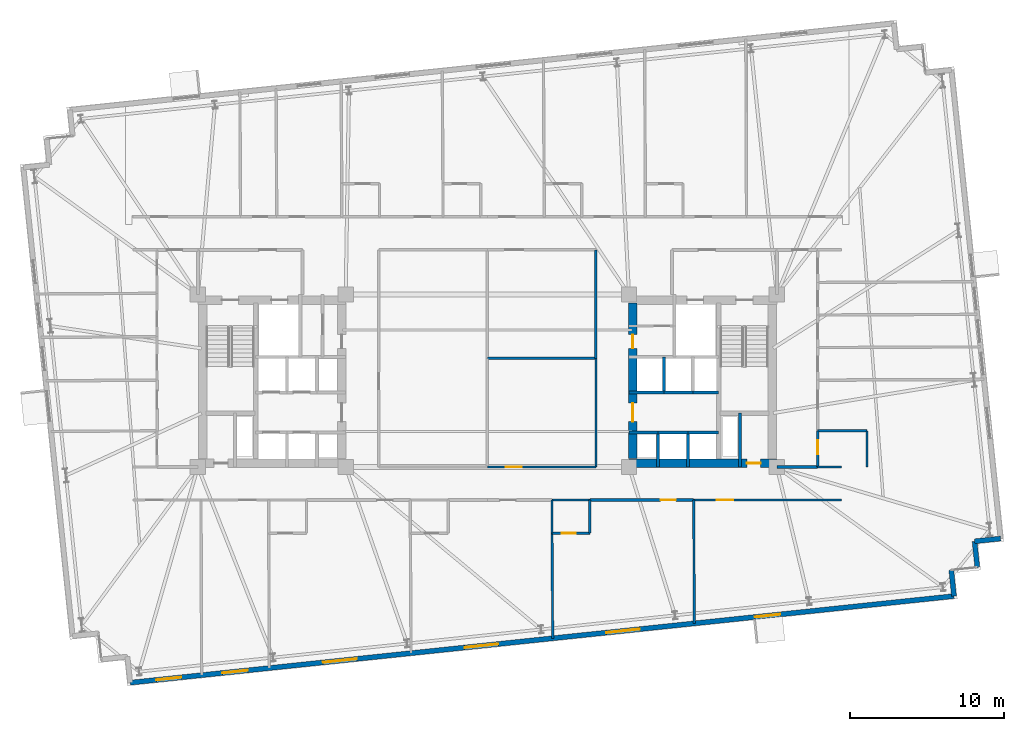
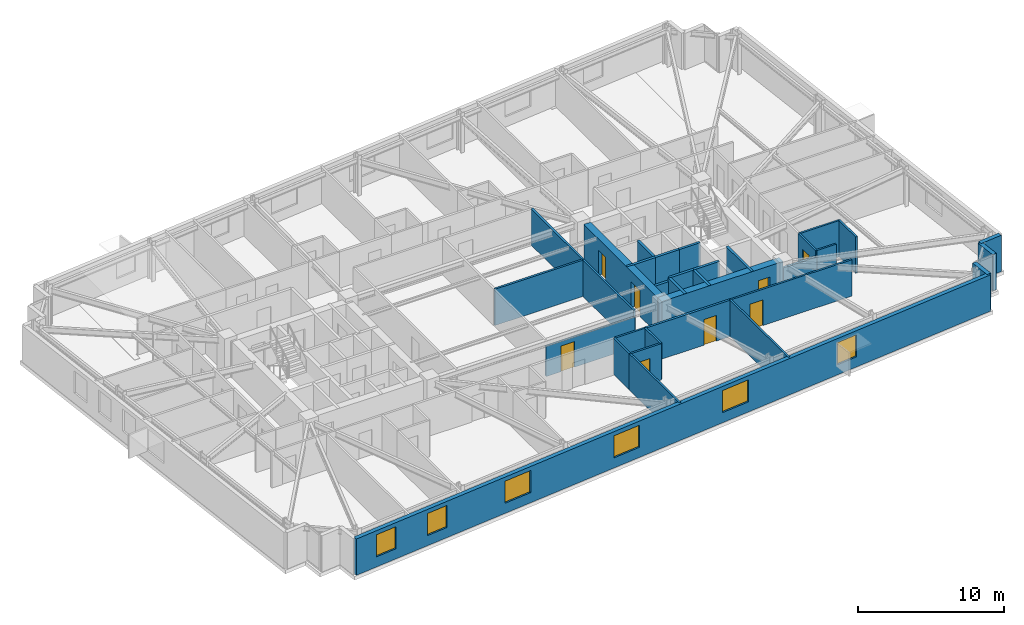
# One storey, part 14 of 20: 33 walls, 8 doors, 6 windows, 14 openings.
"""IFC4 building model written with IfcOpenShell, lengths in metres."""

from ifc_helpers import new_model, si_unit, direction, frame, frame_2d, origin, place, context, subcontext, project, spatial, rectangle, extrude, material, layer, layer_set, type_object, element, fill, save


model = new_model("IFC4")

# Units and contexts
model_context = context("Model", 3, precision=1e-05, world=origin(), true_north=direction((0.0, 1.0)))
body_context = subcontext(model_context, "Body", "Model", "MODEL_VIEW")
ifc_project = project(units=[si_unit("LENGTHUNIT", "METRE"), si_unit("AREAUNIT", "SQUARE_METRE"), si_unit("VOLUMEUNIT", "CUBIC_METRE"), si_unit("PLANEANGLEUNIT", "RADIAN"), si_unit("MASSUNIT", "GRAM", prefix="KILO")], contexts=[model_context])

# Site, building, storey
site_placement = place(None, origin())
site = spatial("IfcSite", under=ifc_project, at=site_placement, CompositionType="ELEMENT")
building_placement = place(site_placement, origin())
building = spatial("IfcBuilding", under=site, at=building_placement, Name="Qobustan Lattice House", CompositionType="ELEMENT")
storey_placement = place(building_placement, frame((0.0, 0.0, 89.050048828125)))
storey = spatial("IfcBuildingStorey", under=building, at=storey_placement, Name="L24", CompositionType="ELEMENT", Elevation=89.050048828125)

# Wall, opening, door
ifc_material_1 = material(Name="Concrete C60/75", Category="concrete")
ifc_layer_1 = layer(ifc_material_1, 0.56005859375)
ifc_layer_set_1 = layer_set([ifc_layer_1], Name="Concrete C60/75")
wall_type_1 = type_object("IfcWallType", Name="WAL-CORE-600", PredefinedType="SHEAR", material=ifc_layer_set_1)
wall_1_placement = place(storey_placement, frame((9.199951171875, -5.35009765625, 0.0), z_axis=(0.0, 0.0, 1.0), x_axis=(1.0, 0.0, 0.0)))
wall_1 = element("IfcWall", 1, at=wall_1_placement, inside=storey, type_object=wall_type_1, Name="L24 split-core shear wall CE-S", PredefinedType="SHEAR", context=body_context, shape_type="SweptSolid", body=[
    extrude(rectangle(XDim=9.60009765625, YDim=0.56005859375, at=frame_2d((4.800048828125, 0.0))), origin(), (0.0, 0.0, 1.0), 3.044921875),
])
opening_1_placement = place(wall_1_placement, frame((7.64990234375, 0.0, 0.0)))
opening_1 = element("IfcOpeningElement", 2, at=opening_1_placement, cuts=wall_1, Name="Opening RD-01", PredefinedType="OPENING", context=body_context, shape_type="SweptSolid", body=[
    extrude(rectangle(XDim=0.89990234375, YDim=2.10009765625, at=frame_2d((0.449951171875, 1.050048828125))), frame((0.0, 0.2900390625, 0.0), z_axis=(0.0, -1.0, 0.0), x_axis=(1.0, 0.0, 0.0)), (0.0, 0.0, 1.0), 0.580078125),
])
ifc_material_2 = material(Name="Persian walnut timber and steel frame door", Category="steel")
door_type_1 = type_object("IfcDoorType", Name="DOR-RISER-FD-900x2100", OperationType="NOTDEFINED", PredefinedType="DOOR", material=ifc_material_2)
door_1_placement = place(opening_1_placement, origin())
door_1 = element("IfcDoor", 3, at=door_1_placement, inside=storey, type_object=door_type_1, Name="L24 core service riser access door E", OperationType="SINGLE_SWING_RIGHT", OverallHeight=2.10009765625, OverallWidth=0.89990234375, PredefinedType="DOOR", context=body_context, shape_type="SweptSolid", body=[
    extrude(rectangle(XDim=0.89990234375, YDim=2.10009765625, at=frame_2d((0.449951171875, 1.050048828125))), frame((0.0, 0.02490234375, 0.0), z_axis=(0.0, -1.0, 0.0), x_axis=(1.0, 0.0, 0.0)), (0.0, 0.0, 1.0), 0.050048828125),
])
fill(opening_1, door_1)

# Wall, openings, doors
wall_2_placement = place(storey_placement, frame((9.449951171875, -5.050048828125, 0.0), z_axis=(0.0, 0.0, 1.0), x_axis=(0.0, 1.0, 0.0)))
wall_2 = element("IfcWall", 4, at=wall_2_placement, inside=storey, type_object=wall_type_1, Name="L24 split-core shear wall CE-W", PredefinedType="SHEAR", context=body_context, shape_type="SweptSolid", body=[
    extrude(rectangle(XDim=10.10009765625, YDim=0.56005859375, at=frame_2d((5.050048828125, 0.0))), origin(), (0.0, 0.0, 1.0), 3.044921875),
])
opening_2_placement = place(wall_2_placement, frame((7.14990234375, 0.0, 0.0)))
opening_2 = element("IfcOpeningElement", 5, at=opening_2_placement, cuts=wall_2, Name="Opening RD-01", PredefinedType="OPENING", context=body_context, shape_type="SweptSolid", body=[
    extrude(rectangle(XDim=0.89990234375, YDim=2.10009765625, at=frame_2d((0.449951171875, 1.050048828125))), frame((0.0, 0.2900390625, 0.0), z_axis=(0.0, -1.0, 0.0), x_axis=(1.0, 0.0, 0.0)), (0.0, 0.0, 1.0), 0.580078125),
])
opening_3_placement = place(wall_2_placement, frame((2.39990234375, 0.0, 0.0)))
opening_3 = element("IfcOpeningElement", 6, at=opening_3_placement, cuts=wall_2, Name="Opening FD-01", PredefinedType="OPENING", context=body_context, shape_type="SweptSolid", body=[
    extrude(rectangle(XDim=1.199951171875, YDim=2.14990234375, at=frame_2d((0.60009765625, 1.074951171875))), frame((0.0, 0.2900390625, 0.0), z_axis=(0.0, -1.0, 0.0), x_axis=(1.0, 0.0, 0.0)), (0.0, 0.0, 1.0), 0.580078125),
])
ifc_material_3 = material(Name="Persian walnut timber and steel frame door", Category="steel")
door_type_2 = type_object("IfcDoorType", Name="DOR-LOBBY-FD-1200x2150", OperationType="NOTDEFINED", PredefinedType="DOOR", material=ifc_material_3)
door_2_placement = place(opening_3_placement, origin())
door_2 = element("IfcDoor", 7, at=door_2_placement, inside=storey, type_object=door_type_2, Name="L24 East passenger lift lobby fire door", OperationType="SINGLE_SWING_RIGHT", OverallHeight=2.14990234375, OverallWidth=1.199951171875, PredefinedType="DOOR", context=body_context, shape_type="SweptSolid", body=[
    extrude(rectangle(XDim=1.199951171875, YDim=2.14990234375, at=frame_2d((0.60009765625, 1.074951171875))), frame((0.0, 0.02490234375, 0.0), z_axis=(0.0, -1.0, 0.0), x_axis=(1.0, 0.0, 0.0)), (0.0, 0.0, 1.0), 0.050048828125),
])
fill(opening_3, door_2)
door_3_placement = place(opening_2_placement, origin())
door_3 = element("IfcDoor", 8, at=door_3_placement, inside=storey, type_object=door_type_1, Name="L24 Housekeeping utility foyer fire door", OperationType="SINGLE_SWING_LEFT", OverallHeight=2.10009765625, OverallWidth=0.89990234375, PredefinedType="DOOR", context=body_context, shape_type="SweptSolid", body=[
    extrude(rectangle(XDim=0.89990234375, YDim=2.10009765625, at=frame_2d((0.449951171875, 1.050048828125))), frame((0.0, 0.02490234375, 0.0), z_axis=(0.0, -1.0, 0.0), x_axis=(1.0, 0.0, 0.0)), (0.0, 0.0, 1.0), 0.050048828125),
])
fill(opening_2, door_3)

# Walls
ifc_material_4 = material(Name="Precast concrete C40/50", Category="concrete")
ifc_layer_2 = layer(ifc_material_4, 0.320068359375)
ifc_layer_set_2 = layer_set([ifc_layer_2], Name="Precast concrete C40/50")
wall_type_2 = type_object("IfcWallType", Name="WAL-EXT-STONE-320", PredefinedType="SOLIDWALL", material=ifc_layer_set_2)
for number, where, z_axis, x_axis, name in (
    (9, (33.333251953125, -10.2490234375, 0.0), (0.0, 0.0, 1.0), (-0.994519608382, -0.104550220202, 0.0), "L24 exterior limestone-clad wall 16"),
    (10, (31.642578125, -10.4267578125, 0.0), (0.0, 0.0, 1.0), (0.104550220202, -0.994519608382, 0.0), "L24 exterior limestone-clad wall 17"),
):
    element("IfcWall", number, at=place(storey_placement, frame(where, z_axis=z_axis, x_axis=x_axis)), inside=storey, type_object=wall_type_2, Name=name, PredefinedType="SOLIDWALL", context=body_context, shape_type="SweptSolid", body=[
        extrude(rectangle(XDim=1.699951171875, YDim=0.320068359375, at=frame_2d((0.85009765625, 0.0))), origin(), (0.0, 0.0, 1.0), 3.044921875),
    ])
wall_3_placement = place(storey_placement, frame((30.129638671875, -12.295166015625, 0.0), z_axis=(0.0, 0.0, 1.0), x_axis=(0.104565154801, -0.994518038248, 0.0)))
element("IfcWall", 11, at=wall_3_placement, inside=storey, type_object=wall_type_2, Name="L24 exterior limestone-clad wall 19", PredefinedType="SOLIDWALL", context=body_context, shape_type="SweptSolid", body=[
    extrude(rectangle(XDim=1.69970703125, YDim=0.320068359375, at=frame_2d((0.849853515625, 0.0))), origin(), (0.0, 0.0, 1.0), 3.044921875),
])

# Wall, openings, windows
wall_4_placement = place(storey_placement, frame((30.307373046875, -13.985595703125, 0.0), z_axis=(0.0, 0.0, 1.0), x_axis=(-0.994521628355, -0.104531003701, 0.0)))
wall_4 = element("IfcWall", 12, at=wall_4_placement, inside=storey, type_object=wall_type_2, Name="L24 exterior limestone-clad wall 20", PredefinedType="SOLIDWALL", context=body_context, shape_type="SweptSolid", body=[
    extrude(rectangle(XDim=53.800048828125, YDim=0.320068359375, at=frame_2d((26.89990234375, 0.0))), origin(), (0.0, 0.0, 1.0), 3.044921875),
])
opening_4_placement = place(wall_4_placement, frame((11.343994140625, 0.0, 0.85009765625)))
opening_4 = element("IfcOpeningElement", 13, at=opening_4_placement, cuts=wall_4, Name="Opening WN-09", PredefinedType="OPENING", context=body_context, shape_type="SweptSolid", body=[
    extrude(rectangle(XDim=1.64990234375, YDim=1.85009765625, at=frame_2d((0.824951171875, 0.925048828125))), frame((0.0, 0.169921875, 0.0), z_axis=(0.0, -1.0, 0.0), x_axis=(1.0, 0.0, 0.0)), (0.0, 0.0, 1.0), 0.340087890625),
])
opening_5_placement = place(wall_4_placement, frame((20.51611328125, 0.0, 0.85009765625)))
opening_5 = element("IfcOpeningElement", 14, at=opening_5_placement, cuts=wall_4, Name="Opening WN-03", PredefinedType="OPENING", context=body_context, shape_type="SweptSolid", body=[
    extrude(rectangle(XDim=2.199951171875, YDim=1.85009765625, at=frame_2d((1.10009765625, 0.925048828125))), frame((0.0, 0.169921875, 0.0), z_axis=(0.0, -1.0, 0.0), x_axis=(1.0, 0.0, 0.0)), (0.0, 0.0, 1.0), 0.340087890625),
])
opening_6_placement = place(wall_4_placement, frame((29.762939453125, 0.0, 0.85009765625)))
opening_6 = element("IfcOpeningElement", 15, at=opening_6_placement, cuts=wall_4, Name="Opening WN-03", PredefinedType="OPENING", context=body_context, shape_type="SweptSolid", body=[
    extrude(rectangle(XDim=2.199951171875, YDim=1.85009765625, at=frame_2d((1.10009765625, 0.925048828125))), frame((0.0, 0.169921875, 0.0), z_axis=(0.0, -1.0, 0.0), x_axis=(1.0, 0.0, 0.0)), (0.0, 0.0, 1.0), 0.340087890625),
])
opening_7_placement = place(wall_4_placement, frame((39.009765625, 0.0, 0.85009765625)))
opening_7 = element("IfcOpeningElement", 16, at=opening_7_placement, cuts=wall_4, Name="Opening WN-03", PredefinedType="OPENING", context=body_context, shape_type="SweptSolid", body=[
    extrude(rectangle(XDim=2.199951171875, YDim=1.85009765625, at=frame_2d((1.10009765625, 0.925048828125))), frame((0.0, 0.169921875, 0.0), z_axis=(0.0, -1.0, 0.0), x_axis=(1.0, 0.0, 0.0)), (0.0, 0.0, 1.0), 0.340087890625),
])
opening_8_placement = place(wall_4_placement, frame((46.1298828125, 0.0, 0.85009765625)))
opening_8 = element("IfcOpeningElement", 17, at=opening_8_placement, cuts=wall_4, Name="Opening WN-09", PredefinedType="OPENING", context=body_context, shape_type="SweptSolid", body=[
    extrude(rectangle(XDim=1.64990234375, YDim=1.85009765625, at=frame_2d((0.824951171875, 0.925048828125))), frame((0.0, 0.169921875, 0.0), z_axis=(0.0, -1.0, 0.0), x_axis=(1.0, 0.0, 0.0)), (0.0, 0.0, 1.0), 0.340087890625),
])
opening_9_placement = place(wall_4_placement, frame((50.453125, 0.0, 0.85009765625)))
opening_9 = element("IfcOpeningElement", 18, at=opening_9_placement, cuts=wall_4, Name="Opening WN-09", PredefinedType="OPENING", context=body_context, shape_type="SweptSolid", body=[
    extrude(rectangle(XDim=1.64990234375, YDim=1.85009765625, at=frame_2d((0.824951171875, 0.925048828125))), frame((0.0, 0.169921875, 0.0), z_axis=(0.0, -1.0, 0.0), x_axis=(1.0, 0.0, 0.0)), (0.0, 0.0, 1.0), 0.340087890625),
])
ifc_material_5 = material(Name="Double-glazed low-E aluminium window", Category="aluminium")
window_type_1 = type_object("IfcWindowType", Name="WIN-STU-1650x1850", PartitioningType="SINGLE_PANEL", PredefinedType="WINDOW", material=ifc_material_5)
window_1_placement = place(opening_4_placement, origin())
window_1 = element("IfcWindow", 19, at=window_1_placement, inside=storey, type_object=window_type_1, Name="L24 Group study room window", OverallHeight=1.85009765625, OverallWidth=1.64990234375, PartitioningType="SINGLE_PANEL", PredefinedType="WINDOW", context=body_context, shape_type="SweptSolid", body=[
    extrude(rectangle(XDim=1.64990234375, YDim=1.85009765625, at=frame_2d((0.824951171875, 0.925048828125))), frame((0.0, 0.030029296875, 0.0), z_axis=(0.0, -1.0, 0.0), x_axis=(1.0, 0.0, 0.0)), (0.0, 0.0, 1.0), 0.06005859375),
])
fill(opening_4, window_1)
window_2_placement = place(opening_8_placement, origin())
window_2 = element("IfcWindow", 20, at=window_2_placement, inside=storey, type_object=window_type_1, Name="L24 Focus study room S1B window", OverallHeight=1.85009765625, OverallWidth=1.64990234375, PartitioningType="SINGLE_PANEL", PredefinedType="WINDOW", context=body_context, shape_type="SweptSolid", body=[
    extrude(rectangle(XDim=1.64990234375, YDim=1.85009765625, at=frame_2d((0.824951171875, 0.925048828125))), frame((0.0, 0.030029296875, 0.0), z_axis=(0.0, -1.0, 0.0), x_axis=(1.0, 0.0, 0.0)), (0.0, 0.0, 1.0), 0.06005859375),
])
fill(opening_8, window_2)
window_3_placement = place(opening_9_placement, origin())
window_3 = element("IfcWindow", 21, at=window_3_placement, inside=storey, type_object=window_type_1, Name="L24 Focus study room S1A window", OverallHeight=1.85009765625, OverallWidth=1.64990234375, PartitioningType="SINGLE_PANEL", PredefinedType="WINDOW", context=body_context, shape_type="SweptSolid", body=[
    extrude(rectangle(XDim=1.64990234375, YDim=1.85009765625, at=frame_2d((0.824951171875, 0.925048828125))), frame((0.0, 0.030029296875, 0.0), z_axis=(0.0, -1.0, 0.0), x_axis=(1.0, 0.0, 0.0)), (0.0, 0.0, 1.0), 0.06005859375),
])
fill(opening_9, window_3)
ifc_material_6 = material(Name="Double-glazed low-E aluminium window", Category="aluminium")
window_type_2 = type_object("IfcWindowType", Name="WIN-WIDE-2200x1850", PartitioningType="SINGLE_PANEL", PredefinedType="WINDOW", material=ifc_material_6)
window_4_placement = place(opening_5_placement, origin())
window_4 = element("IfcWindow", 22, at=window_4_placement, inside=storey, type_object=window_type_2, Name="L24 Kitchenette and studio apartment L24-S4 window", OverallHeight=1.85009765625, OverallWidth=2.199951171875, PartitioningType="SINGLE_PANEL", PredefinedType="WINDOW", context=body_context, shape_type="SweptSolid", body=[
    extrude(rectangle(XDim=2.199951171875, YDim=1.85009765625, at=frame_2d((1.10009765625, 0.925048828125))), frame((0.0, 0.030029296875, 0.0), z_axis=(0.0, -1.0, 0.0), x_axis=(1.0, 0.0, 0.0)), (0.0, 0.0, 1.0), 0.06005859375),
])
fill(opening_5, window_4)
window_5_placement = place(opening_6_placement, origin())
window_5 = element("IfcWindow", 23, at=window_5_placement, inside=storey, type_object=window_type_2, Name="L24 Kitchenette and studio apartment L24-S3 window", OverallHeight=1.85009765625, OverallWidth=2.199951171875, PartitioningType="SINGLE_PANEL", PredefinedType="WINDOW", context=body_context, shape_type="SweptSolid", body=[
    extrude(rectangle(XDim=2.199951171875, YDim=1.85009765625, at=frame_2d((1.10009765625, 0.925048828125))), frame((0.0, 0.030029296875, 0.0), z_axis=(0.0, -1.0, 0.0), x_axis=(1.0, 0.0, 0.0)), (0.0, 0.0, 1.0), 0.06005859375),
])
fill(opening_6, window_5)
window_6_placement = place(opening_7_placement, origin())
window_6 = element("IfcWindow", 24, at=window_6_placement, inside=storey, type_object=window_type_2, Name="L24 Kitchenette and studio apartment L24-S2 window", OverallHeight=1.85009765625, OverallWidth=2.199951171875, PartitioningType="SINGLE_PANEL", PredefinedType="WINDOW", context=body_context, shape_type="SweptSolid", body=[
    extrude(rectangle(XDim=2.199951171875, YDim=1.85009765625, at=frame_2d((1.10009765625, 0.925048828125))), frame((0.0, 0.030029296875, 0.0), z_axis=(0.0, -1.0, 0.0), x_axis=(1.0, 0.0, 0.0)), (0.0, 0.0, 1.0), 0.06005859375),
])
fill(opening_7, window_6)

# Wall
ifc_material_7 = material(Name="Gypsum fireboard acoustic partition", Category="gypsum")
ifc_layer_3 = layer(ifc_material_7, 0.179931640625)
ifc_layer_set_3 = layer_set([ifc_layer_3], Name="Gypsum fireboard acoustic partition")
wall_type_3 = type_object("IfcWallType", Name="WAL-FIRE-180", PredefinedType="PARTITIONING", material=ifc_layer_set_3)
wall_5_placement = place(storey_placement, frame((18.800048828125, -5.60009765625, 0.0), z_axis=(0.0, 0.0, 1.0), x_axis=(1.0, 0.0, 0.0)))
element("IfcWall", 25, at=wall_5_placement, inside=storey, type_object=wall_type_3, Name="L24 interior partition 66", PredefinedType="PARTITIONING", context=body_context, shape_type="SweptSolid", body=[
    extrude(rectangle(XDim=2.64990234375, YDim=0.179931640625, at=frame_2d((1.324951171875, 0.0))), origin(), (0.0, 0.0, 1.0), 2.530029296875),
])

# Wall, opening, door
wall_6_placement = place(storey_placement, frame((13.39990234375, -7.75, 0.0), z_axis=(0.0, 0.0, 1.0), x_axis=(-1.0, 0.0, 0.0)))
wall_6 = element("IfcWall", 26, at=wall_6_placement, inside=storey, type_object=wall_type_3, Name="L24 interior partition 69", PredefinedType="PARTITIONING", context=body_context, shape_type="SweptSolid", body=[
    extrude(rectangle(XDim=6.75, YDim=0.179931640625, at=frame_2d((3.375, 0.0))), origin(), (0.0, 0.0, 1.0), 3.044921875),
])
opening_10_placement = place(wall_6_placement, frame((1.15380859375, 0.0, 0.0)))
opening_10 = element("IfcOpeningElement", 27, at=opening_10_placement, cuts=wall_6, Name="Opening FD-02", PredefinedType="OPENING", context=body_context, shape_type="SweptSolid", body=[
    extrude(rectangle(XDim=1.0, YDim=2.14990234375, at=frame_2d((0.5, 1.074951171875))), frame((0.0, 0.099853515625, 0.0), z_axis=(0.0, -1.0, 0.0), x_axis=(1.0, 0.0, 0.0)), (0.0, 0.0, 1.0), 0.199951171875),
])
ifc_material_8 = material(Name="Persian walnut timber and steel frame door", Category="steel")
door_type_3 = type_object("IfcDoorType", Name="DOR-UNIT-FD-1000x2150", OperationType="NOTDEFINED", PredefinedType="DOOR", material=ifc_material_8)
door_4_placement = place(opening_10_placement, origin())
door_4 = element("IfcDoor", 28, at=door_4_placement, inside=storey, type_object=door_type_3, Name="L24 South-east floor corridor to Kitchenette and studio apartment L24-S4 door", OperationType="SINGLE_SWING_RIGHT", OverallHeight=2.14990234375, OverallWidth=1.0, PredefinedType="DOOR", context=body_context, shape_type="SweptSolid", body=[
    extrude(rectangle(XDim=1.0, YDim=2.14990234375, at=frame_2d((0.5, 1.074951171875))), frame((0.0, 0.02490234375, 0.0), z_axis=(0.0, -1.0, 0.0), x_axis=(1.0, 0.0, 0.0)), (0.0, 0.0, 1.0), 0.050048828125),
])
fill(opening_10, door_4)

ifc_material_9 = material(Name="Acoustic twin-stud gypsum partition", Category="gypsum")
ifc_layer_4 = layer(ifc_material_9, 0.14990234375)
ifc_layer_set_4 = layer_set([ifc_layer_4], Name="Acoustic twin-stud gypsum partition")
wall_type_4 = type_object("IfcWallType", Name="WAL-PART-150", PredefinedType="PARTITIONING", material=ifc_layer_set_4)
wall_7_placement = place(storey_placement, frame((23.0, -7.75, 0.0), z_axis=(0.0, 0.0, 1.0), x_axis=(-1.0, 0.0, 0.0)))
wall_7 = element("IfcWall", 29, at=wall_7_placement, inside=storey, type_object=wall_type_4, Name="L24 interior partition 71", PredefinedType="PARTITIONING", context=body_context, shape_type="SweptSolid", body=[
    extrude(rectangle(XDim=9.60009765625, YDim=0.14990234375, at=frame_2d((4.800048828125, 0.0))), origin(), (0.0, 0.0, 1.0), 3.044921875),
])
opening_11_placement = place(wall_7_placement, frame((7.046142578125, 0.0, 0.0)))
opening_11 = element("IfcOpeningElement", 30, at=opening_11_placement, cuts=wall_7, Name="Opening ID-02", PredefinedType="OPENING", context=body_context, shape_type="SweptSolid", body=[
    extrude(rectangle(XDim=1.050048828125, YDim=2.14990234375, at=frame_2d((0.52490234375, 1.074951171875))), frame((0.0, 0.0849609375, 0.0), z_axis=(0.0, -1.0, 0.0), x_axis=(1.0, 0.0, 0.0)), (0.0, 0.0, 1.0), 0.169921875),
])
ifc_material_10 = material(Name="Persian walnut timber and steel frame door", Category="steel")
door_type_4 = type_object("IfcDoorType", Name="DOR-STUDY-1050x2150", OperationType="NOTDEFINED", PredefinedType="DOOR", material=ifc_material_10)
door_5_placement = place(opening_11_placement, origin())
door_5 = element("IfcDoor", 31, at=door_5_placement, inside=storey, type_object=door_type_4, Name="L24 South-east floor corridor to Group study room door", OperationType="SINGLE_SWING_LEFT", OverallHeight=2.14990234375, OverallWidth=1.050048828125, PredefinedType="DOOR", context=body_context, shape_type="SweptSolid", body=[
    extrude(rectangle(XDim=1.050048828125, YDim=2.14990234375, at=frame_2d((0.52490234375, 1.074951171875))), frame((0.0, 0.02490234375, 0.0), z_axis=(0.0, -1.0, 0.0), x_axis=(1.0, 0.0, 0.0)), (0.0, 0.0, 1.0), 0.050048828125),
])
fill(opening_11, door_5)

wall_8_placement = place(storey_placement, frame((0.0, -5.60009765625, 0.0), z_axis=(0.0, 0.0, 1.0), x_axis=(1.0, 0.0, 0.0)))
wall_8 = element("IfcWall", 32, at=wall_8_placement, inside=storey, type_object=wall_type_4, Name="L24 interior partition 72", PredefinedType="PARTITIONING", context=body_context, shape_type="SweptSolid", body=[
    extrude(rectangle(XDim=7.050048828125, YDim=0.14990234375, at=frame_2d((3.52490234375, 0.0))), origin(), (0.0, 0.0, 1.0), 2.530029296875),
])
opening_12_placement = place(wall_8_placement, frame((1.18505859375, 0.0, 0.0)))
opening_12 = element("IfcOpeningElement", 33, at=opening_12_placement, cuts=wall_8, Name="Opening ID-02", PredefinedType="OPENING", context=body_context, shape_type="SweptSolid", body=[
    extrude(rectangle(XDim=1.050048828125, YDim=2.14990234375, at=frame_2d((0.52490234375, 1.074951171875))), frame((0.0, 0.0849609375, 0.0), z_axis=(0.0, -1.0, 0.0), x_axis=(1.0, 0.0, 0.0)), (0.0, 0.0, 1.0), 0.169921875),
])
door_6_placement = place(opening_12_placement, origin())
door_6 = element("IfcDoor", 34, at=door_6_placement, inside=storey, type_object=door_type_4, Name="L24 South-east floor corridor to Seminar breakout room door", OperationType="SINGLE_SWING_RIGHT", OverallHeight=2.14990234375, OverallWidth=1.050048828125, PredefinedType="DOOR", context=body_context, shape_type="SweptSolid", body=[
    extrude(rectangle(XDim=1.050048828125, YDim=2.14990234375, at=frame_2d((0.52490234375, 1.074951171875))), frame((0.0, 0.02490234375, 0.0), z_axis=(0.0, -1.0, 0.0), x_axis=(1.0, 0.0, 0.0)), (0.0, 0.0, 1.0), 0.050048828125),
])
fill(opening_12, door_6)

# Walls
wall_9_placement = place(storey_placement, frame((7.050048828125, -5.60009765625, 0.0), z_axis=(0.0, 0.0, 1.0), x_axis=(0.0, 1.0, 0.0)))
element("IfcWall", 35, at=wall_9_placement, inside=storey, type_object=wall_type_4, Name="L24 interior partition 74", PredefinedType="PARTITIONING", context=body_context, shape_type="SweptSolid", body=[
    extrude(rectangle(XDim=7.050048828125, YDim=0.14990234375, at=frame_2d((3.52490234375, 0.0))), origin(), (0.0, 0.0, 1.0), 3.044921875),
])
wall_10_placement = place(storey_placement, frame((4.199951171875, -9.89990234375, 0.0), z_axis=(0.0, 0.0, 1.0), x_axis=(0.00643855591, -0.999979272284, 0.0)))
element("IfcWall", 36, at=wall_10_placement, inside=storey, type_object=wall_type_4, Name="L24 interior partition 125", PredefinedType="PARTITIONING", context=body_context, shape_type="SweptSolid", body=[
    extrude(rectangle(XDim=6.825439453125, YDim=0.14990234375, at=frame_2d((3.41259765625, 0.0))), origin(), (0.0, 0.0, 1.0), 3.044921875),
])
wall_11_placement = place(storey_placement, frame((13.39990234375, -7.75, 0.0), z_axis=(0.0, 0.0, 1.0), x_axis=(0.005487554946, -0.999984943257, 0.0)))
element("IfcWall", 37, at=wall_11_placement, inside=storey, type_object=wall_type_4, Name="L24 interior partition 129", PredefinedType="PARTITIONING", context=body_context, shape_type="SweptSolid", body=[
    extrude(rectangle(XDim=8.008056640625, YDim=0.14990234375, at=frame_2d((4.00390625, 0.0))), origin(), (0.0, 0.0, 1.0), 3.044921875),
])
ifc_material_11 = material(Name="High-mass acoustic twin-stud partition", Category="gypsum")
ifc_layer_5 = layer(ifc_material_11, 0.1650390625)
ifc_layer_set_5 = layer_set([ifc_layer_5], Name="High-mass acoustic twin-stud partition")
wall_type_5 = type_object("IfcWallType", Name="WAL-PART-165", PredefinedType="PARTITIONING", material=ifc_layer_set_5)
for number, where, z_axis, x_axis, name in (
    (38, (7.050048828125, 1.449951171875, 0.0), (0.0, 0.0, 1.0), (0.0, 1.0, 0.0), "L24 interior partition 75"),
    (39, (0.0, 1.449951171875, 0.0), (0.0, 0.0, 1.0), (1.0, 0.0, 0.0), "L24 interior partition 132"),
):
    element("IfcWall", number, at=place(storey_placement, frame(where, z_axis=z_axis, x_axis=x_axis)), inside=storey, type_object=wall_type_5, Name=name, PredefinedType="PARTITIONING", context=body_context, shape_type="SweptSolid", body=[
        extrude(rectangle(XDim=7.050048828125, YDim=0.1650390625, at=frame_2d((3.52490234375, 0.0))), origin(), (0.0, 0.0, 1.0), 3.044921875),
    ])
ifc_material_12 = material(Name="Concrete C40/50", Category="concrete")
ifc_layer_6 = layer(ifc_material_12, 0.199951171875)
ifc_layer_set_6 = layer_set([ifc_layer_6], Name="Concrete C40/50")
wall_type_6 = type_object("IfcWallType", Name="WAL-SHAFT-200", PredefinedType="PARTITIONING", material=ifc_layer_set_6)
wall_12_placement = place(storey_placement, frame((16.39990234375, -2.110107421875, 0.0), z_axis=(0.0, 0.0, 1.0), x_axis=(0.0, -1.0, 0.0)))
element("IfcWall", 40, at=wall_12_placement, inside=storey, type_object=wall_type_6, Name="L24 interior partition 19", PredefinedType="PARTITIONING", context=body_context, shape_type="SweptSolid", body=[
    extrude(rectangle(XDim=3.489990234375, YDim=0.199951171875, at=frame_2d((1.7451171875, 0.0))), origin(), (0.0, 0.0, 1.0), 3.044921875),
])
wall_13_placement = place(storey_placement, frame((9.199951171875, -3.35009765625, 0.0), z_axis=(0.0, 0.0, 1.0), x_axis=(1.0, 0.0, 0.0)))
element("IfcWall", 41, at=wall_13_placement, inside=storey, type_object=wall_type_6, Name="L24 interior partition 27", PredefinedType="PARTITIONING", context=body_context, shape_type="SweptSolid", body=[
    extrude(rectangle(XDim=1.880126953125, YDim=0.199951171875, at=frame_2d((0.93994140625, 0.0))), origin(), (0.0, 0.0, 1.0), 2.760009765625),
])
wall_14_placement = place(storey_placement, frame((11.080078125, -3.35009765625, 0.0), z_axis=(0.0, 0.0, 1.0), x_axis=(1.0, 0.0, 0.0)))
element("IfcWall", 42, at=wall_14_placement, inside=storey, type_object=wall_type_6, Name="L24 interior partition 28", PredefinedType="PARTITIONING", context=body_context, shape_type="SweptSolid", body=[
    extrude(rectangle(XDim=1.93994140625, YDim=0.199951171875, at=frame_2d((0.969970703125, 0.0))), origin(), (0.0, 0.0, 1.0), 3.044921875),
])
wall_15_placement = place(storey_placement, frame((13.02001953125, -3.35009765625, 0.0), z_axis=(0.0, 0.0, 1.0), x_axis=(1.0, 0.0, 0.0)))
element("IfcWall", 43, at=wall_15_placement, inside=storey, type_object=wall_type_6, Name="L24 interior partition 29", PredefinedType="PARTITIONING", context=body_context, shape_type="SweptSolid", body=[
    extrude(rectangle(XDim=2.0, YDim=0.199951171875, at=frame_2d((1.0, 0.0))), origin(), (0.0, 0.0, 1.0), 3.044921875),
])
wall_16_placement = place(storey_placement, frame((11.4599609375, -0.75, 0.0), z_axis=(0.0, 0.0, 1.0), x_axis=(-1.0, 0.0, 0.0)))
element("IfcWall", 44, at=wall_16_placement, inside=storey, type_object=wall_type_6, Name="L24 interior partition 30", PredefinedType="PARTITIONING", context=body_context, shape_type="SweptSolid", body=[
    extrude(rectangle(XDim=2.260009765625, YDim=0.199951171875, at=frame_2d((1.1298828125, 0.0))), origin(), (0.0, 0.0, 1.0), 3.044921875),
])
wall_17_placement = place(storey_placement, frame((13.340087890625, -0.75, 0.0), z_axis=(0.0, 0.0, 1.0), x_axis=(-1.0, 0.0, 0.0)))
element("IfcWall", 45, at=wall_17_placement, inside=storey, type_object=wall_type_6, Name="L24 interior partition 31", PredefinedType="PARTITIONING", context=body_context, shape_type="SweptSolid", body=[
    extrude(rectangle(XDim=1.880126953125, YDim=0.199951171875, at=frame_2d((0.93994140625, 0.0))), origin(), (0.0, 0.0, 1.0), 3.044921875),
])
wall_18_placement = place(storey_placement, frame((15.02001953125, -0.75, 0.0), z_axis=(0.0, 0.0, 1.0), x_axis=(-1.0, 0.0, 0.0)))
element("IfcWall", 46, at=wall_18_placement, inside=storey, type_object=wall_type_6, Name="L24 interior partition 32", PredefinedType="PARTITIONING", context=body_context, shape_type="SweptSolid", body=[
    extrude(rectangle(XDim=1.679931640625, YDim=0.199951171875, at=frame_2d((0.83984375, 0.0))), origin(), (0.0, 0.0, 1.0), 3.044921875),
])
for number, where, z_axis, x_axis, name in (
    (47, (11.080078125, -5.60009765625, 0.0), (0.0, 0.0, 1.0), (0.0, 1.0, 0.0), "L24 interior partition 34"),
    (48, (13.02001953125, -5.60009765625, 0.0), (0.0, 0.0, 1.0), (0.0, 1.0, 0.0), "L24 interior partition 35"),
):
    element("IfcWall", number, at=place(storey_placement, frame(where, z_axis=z_axis, x_axis=x_axis)), inside=storey, type_object=wall_type_6, Name=name, PredefinedType="PARTITIONING", context=body_context, shape_type="SweptSolid", body=[
        extrude(rectangle(XDim=2.25, YDim=0.199951171875, at=frame_2d((1.125, 0.0))), origin(), (0.0, 0.0, 1.0), 3.044921875),
    ])
wall_19_placement = place(storey_placement, frame((11.4599609375, -0.75, 0.0), z_axis=(0.0, 0.0, 1.0), x_axis=(0.0, 1.0, 0.0)))
element("IfcWall", 49, at=wall_19_placement, inside=storey, type_object=wall_type_6, Name="L24 interior partition 36", PredefinedType="PARTITIONING", context=body_context, shape_type="SweptSolid", body=[
    extrude(rectangle(XDim=2.300048828125, YDim=0.199951171875, at=frame_2d((1.14990234375, 0.0))), origin(), (0.0, 0.0, 1.0), 3.044921875),
])
ifc_material_13 = material(Name="Moisture-resistant acoustic plumbing wall", Category="gypsum")
ifc_layer_7 = layer(ifc_material_13, 0.14990234375)
ifc_layer_set_7 = layer_set([ifc_layer_7], Name="Moisture-resistant acoustic plumbing wall")
wall_type_7 = type_object("IfcWallType", Name="WAL-WET-150", PredefinedType="PLUMBINGWALL", material=ifc_layer_set_7)
wall_20_placement = place(storey_placement, frame((21.449951171875, -5.60009765625, 0.0), z_axis=(0.0, 0.0, 1.0), x_axis=(1.0, 0.0, 0.0)))
element("IfcWall", 50, at=wall_20_placement, inside=storey, type_object=wall_type_7, Name="L24 interior partition 67", PredefinedType="PLUMBINGWALL", context=body_context, shape_type="SweptSolid", body=[
    extrude(rectangle(XDim=1.550048828125, YDim=0.14990234375, at=frame_2d((0.77490234375, 0.0))), origin(), (0.0, 0.0, 1.0), 3.044921875),
])
wall_21_placement = place(storey_placement, frame((6.64990234375, -7.75, 0.0), z_axis=(0.0, 0.0, 1.0), x_axis=(-1.0, 0.0, 0.0)))
element("IfcWall", 51, at=wall_21_placement, inside=storey, type_object=wall_type_7, Name="L24 interior partition 70", PredefinedType="PLUMBINGWALL", context=body_context, shape_type="SweptSolid", body=[
    extrude(rectangle(XDim=2.449951171875, YDim=0.14990234375, at=frame_2d((1.22509765625, 0.0))), origin(), (0.0, 0.0, 1.0), 3.044921875),
])

# Wall, opening, door
wall_22_placement = place(storey_placement, frame((21.449951171875, -3.25, 0.0), z_axis=(0.0, 0.0, 1.0), x_axis=(0.0, -1.0, 0.0)))
wall_22 = element("IfcWall", 52, at=wall_22_placement, inside=storey, type_object=wall_type_7, Name="L24 interior partition 85", PredefinedType="PLUMBINGWALL", context=body_context, shape_type="SweptSolid", body=[
    extrude(rectangle(XDim=2.35009765625, YDim=0.14990234375, at=frame_2d((1.175048828125, 0.0))), origin(), (0.0, 0.0, 1.0), 3.044921875),
])
opening_13_placement = place(wall_22_placement, frame((0.6162109375, 0.0, 0.0)))
opening_13 = element("IfcOpeningElement", 53, at=opening_13_placement, cuts=wall_22, Name="Opening WD-01", PredefinedType="OPENING", context=body_context, shape_type="SweptSolid", body=[
    extrude(rectangle(XDim=0.89990234375, YDim=2.10009765625, at=frame_2d((0.449951171875, 1.050048828125))), frame((0.0, 0.0849609375, 0.0), z_axis=(0.0, -1.0, 0.0), x_axis=(1.0, 0.0, 0.0)), (0.0, 0.0, 1.0), 0.169921875),
])
ifc_material_14 = material(Name="Persian walnut timber and steel frame door", Category="steel")
door_type_5 = type_object("IfcDoorType", Name="DOR-WET-900x2100", OperationType="NOTDEFINED", PredefinedType="DOOR", material=ifc_material_14)
door_7_placement = place(opening_13_placement, origin())
door_7 = element("IfcDoor", 54, at=door_7_placement, inside=storey, type_object=door_type_5, Name="L24 Residence entrance hall L24E to Shared bathroom L24E door", OperationType="SINGLE_SWING_LEFT", OverallHeight=2.10009765625, OverallWidth=0.89990234375, PredefinedType="DOOR", context=body_context, shape_type="SweptSolid", body=[
    extrude(rectangle(XDim=0.89990234375, YDim=2.10009765625, at=frame_2d((0.449951171875, 1.050048828125))), frame((0.0, 0.02490234375, 0.0), z_axis=(0.0, -1.0, 0.0), x_axis=(1.0, 0.0, 0.0)), (0.0, 0.0, 1.0), 0.050048828125),
])
fill(opening_13, door_7)

# Walls
wall_23_placement = place(storey_placement, frame((21.449951171875, -3.25, 0.0), z_axis=(0.0, 0.0, 1.0), x_axis=(1.0, 0.0, 0.0)))
element("IfcWall", 55, at=wall_23_placement, inside=storey, type_object=wall_type_7, Name="L24 interior partition 91", PredefinedType="PLUMBINGWALL", context=body_context, shape_type="SweptSolid", body=[
    extrude(rectangle(XDim=3.199951171875, YDim=0.14990234375, at=frame_2d((1.60009765625, 0.0))), origin(), (0.0, 0.0, 1.0), 3.044921875),
])
wall_24_placement = place(storey_placement, frame((24.64990234375, -3.25, 0.0), z_axis=(0.0, 0.0, 1.0), x_axis=(0.0, -1.0, 0.0)))
element("IfcWall", 56, at=wall_24_placement, inside=storey, type_object=wall_type_7, Name="L24 interior partition 92", PredefinedType="PLUMBINGWALL", context=body_context, shape_type="SweptSolid", body=[
    extrude(rectangle(XDim=2.35009765625, YDim=0.14990234375, at=frame_2d((1.175048828125, 0.0))), origin(), (0.0, 0.0, 1.0), 3.044921875),
])
wall_25_placement = place(storey_placement, frame((4.199951171875, -7.75, 0.0), z_axis=(0.0, 0.0, 1.0), x_axis=(0.0, -1.0, 0.0)))
element("IfcWall", 57, at=wall_25_placement, inside=storey, type_object=wall_type_7, Name="L24 interior partition 126", PredefinedType="PLUMBINGWALL", context=body_context, shape_type="SweptSolid", body=[
    extrude(rectangle(XDim=2.14990234375, YDim=0.14990234375, at=frame_2d((1.074951171875, 0.0))), origin(), (0.0, 0.0, 1.0), 3.044921875),
])

# Wall, opening, door
wall_26_placement = place(storey_placement, frame((4.199951171875, -9.89990234375, 0.0), z_axis=(0.0, 0.0, 1.0), x_axis=(1.0, 0.0, 0.0)))
wall_26 = element("IfcWall", 58, at=wall_26_placement, inside=storey, type_object=wall_type_7, Name="L24 interior partition 127", PredefinedType="PLUMBINGWALL", context=body_context, shape_type="SweptSolid", body=[
    extrude(rectangle(XDim=2.449951171875, YDim=0.14990234375, at=frame_2d((1.22509765625, 0.0))), origin(), (0.0, 0.0, 1.0), 3.044921875),
])
opening_14_placement = place(wall_26_placement, frame((0.62890625, 0.0, 0.0)))
opening_14 = element("IfcOpeningElement", 59, at=opening_14_placement, cuts=wall_26, Name="Opening WD-01", PredefinedType="OPENING", context=body_context, shape_type="SweptSolid", body=[
    extrude(rectangle(XDim=0.89990234375, YDim=2.10009765625, at=frame_2d((0.449951171875, 1.050048828125))), frame((0.0, 0.0849609375, 0.0), z_axis=(0.0, -1.0, 0.0), x_axis=(1.0, 0.0, 0.0)), (0.0, 0.0, 1.0), 0.169921875),
])
door_8_placement = place(opening_14_placement, origin())
door_8 = element("IfcDoor", 60, at=door_8_placement, inside=storey, type_object=door_type_5, Name="L24 Kitchenette and studio apartment L24-S4 to En-suite bathroom L24-S4 door", OperationType="SINGLE_SWING_LEFT", OverallHeight=2.10009765625, OverallWidth=0.89990234375, PredefinedType="DOOR", context=body_context, shape_type="SweptSolid", body=[
    extrude(rectangle(XDim=0.89990234375, YDim=2.10009765625, at=frame_2d((0.449951171875, 1.050048828125))), frame((0.0, 0.02490234375, 0.0), z_axis=(0.0, -1.0, 0.0), x_axis=(1.0, 0.0, 0.0)), (0.0, 0.0, 1.0), 0.050048828125),
])
fill(opening_14, door_8)

# Wall
wall_27_placement = place(storey_placement, frame((6.64990234375, -9.89990234375, 0.0), z_axis=(0.0, 0.0, 1.0), x_axis=(0.0, 1.0, 0.0)))
element("IfcWall", 61, at=wall_27_placement, inside=storey, type_object=wall_type_7, Name="L24 interior partition 128", PredefinedType="PLUMBINGWALL", context=body_context, shape_type="SweptSolid", body=[
    extrude(rectangle(XDim=2.14990234375, YDim=0.14990234375, at=frame_2d((1.074951171875, 0.0))), origin(), (0.0, 0.0, 1.0), 3.044921875),
])

save(model, "model.ifc")
